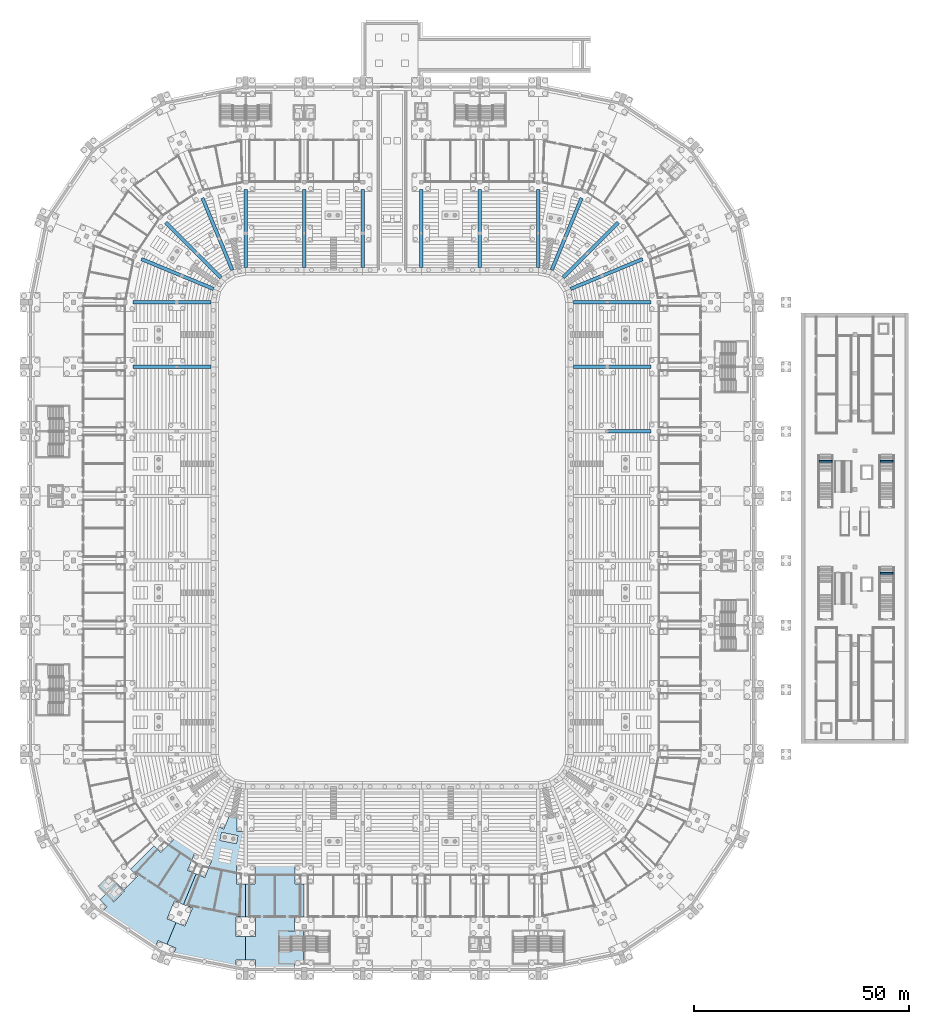
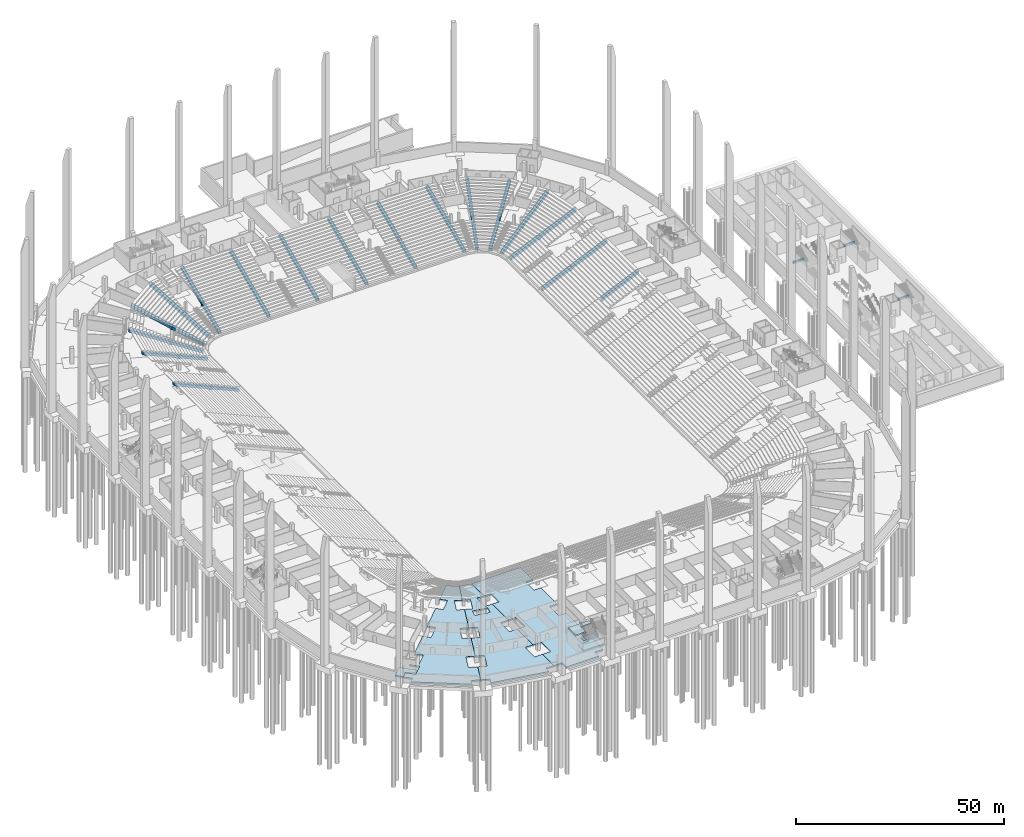
# One storey, part 15 of 115: 36 beams, 6 slabs, 1 element without a shape of its own.
"""IFC4 building model written with IfcOpenShell, lengths in metres."""

from ifc_helpers import new_model, si_unit, direction, frame, origin, origin_2d, place, context, subcontext, project, spatial, polyline, rectangle, outline, extrude, material, layer, layer_set, material_profile, profile_set, type_object, element, aggregate, save


model = new_model("IFC4")

# Units and contexts
model_context = context("Model", 3, precision=1e-05, world=origin(), true_north=direction((0.0, 1.0)))
body_context = subcontext(model_context, "Body", "Model", "MODEL_VIEW")
ifc_project = project(units=[si_unit("LENGTHUNIT", "METRE"), si_unit("AREAUNIT", "SQUARE_METRE"), si_unit("VOLUMEUNIT", "CUBIC_METRE"), si_unit("PLANEANGLEUNIT", "RADIAN"), si_unit("MASSUNIT", "GRAM", prefix="KILO")], contexts=[model_context])

# Site, building, storey
site_placement = place(None, origin())
site = spatial("IfcSite", under=ifc_project, at=site_placement, CompositionType="ELEMENT")
building_placement = place(site_placement, origin())
building = spatial("IfcBuilding", under=site, at=building_placement, Name="Ogive Plaza Stadium", CompositionType="ELEMENT")
storey_placement = place(building_placement, frame((0.0, 0.0, -4.5)))
storey = spatial("IfcBuildingStorey", under=building, at=storey_placement, Name="B1", CompositionType="ELEMENT", Elevation=-4.5)

# Beams
ifc_material_1 = material(Name="Concrete C45/55 precast", Category="concrete")
ifc_material_profile_1 = material_profile(ifc_material_1, rectangle(XDim=0.800048828125, YDim=0.800048828125, at=origin_2d()), Name="RC 800x800")
ifc_profile_set_1 = profile_set([ifc_material_profile_1], Name="Concrete C45/55 precast")
beam_type_1 = type_object("IfcBeamType", Name="Precast raker LT 800x800", PredefinedType="USERDEFINED", material=ifc_profile_set_1)
beam_1_placement = place(storey_placement, frame((34.0, 52.5, 4.5), z_axis=(0.0, 0.0, 1.0), x_axis=(1.0, 0.0, 0.0)))
element("IfcBeam", 1, at=beam_1_placement, inside=storey, type_object=beam_type_1, Name="RAKER LT R01", ObjectType="RAKER", PredefinedType="USERDEFINED", context=body_context, shape_type="SweptSolid", body=[
    extrude(outline(polyline([(8.10009765625, -4.4853515625), (15.60009765625, -1.176513671875), (16.0, -1.176513671875), (16.0, -0.199951171875), (8.10009765625, -3.685302734375), (8.10009765625, -4.4853515625)])), frame((0.0, 0.39990234375, 0.0), z_axis=(0.0, -1.0, 0.0), x_axis=(1.0, 0.0, 0.0)), (0.0, 0.0, 1.0), 0.800048828125),
])
beam_2_placement = place(storey_placement, frame((34.0, 52.5, 4.5), z_axis=(0.0, 0.0, 1.0), x_axis=(1.0, 0.0, 0.0)))
element("IfcBeam", 2, at=beam_2_placement, inside=storey, type_object=beam_type_1, Name="RAKER LT BACK R01", ObjectType="RAKER", PredefinedType="USERDEFINED", context=body_context, shape_type="SweptSolid", body=[
    extrude(outline(polyline([(16.0, -1.176513671875), (16.39990234375, -1.176513671875), (16.39990234375, -0.823486328125), (26.199951171875, 3.5), (26.199951171875, 4.300048828125), (16.0, -0.199951171875), (16.0, -1.176513671875)])), frame((0.0, 0.39990234375, 0.0), z_axis=(0.0, -1.0, 0.0), x_axis=(1.0, 0.0, 0.0)), (0.0, 0.0, 1.0), 0.800048828125),
])
beam_3_placement = place(storey_placement, frame((34.0, 37.5, 4.5), z_axis=(0.0, 0.0, 1.0), x_axis=(1.0, 0.0, 0.0)))
element("IfcBeam", 3, at=beam_3_placement, inside=storey, type_object=beam_type_1, Name="RAKER LT R02", ObjectType="RAKER", PredefinedType="USERDEFINED", context=body_context, shape_type="SweptSolid", body=[
    extrude(outline(polyline([(8.10009765625, -4.4853515625), (15.60009765625, -1.176513671875), (16.0, -1.176513671875), (16.0, -0.199951171875), (8.10009765625, -3.685302734375), (8.10009765625, -4.4853515625)])), frame((0.0, 0.39990234375, 0.0), z_axis=(0.0, -1.0, 0.0), x_axis=(1.0, 0.0, 0.0)), (0.0, 0.0, 1.0), 0.800048828125),
])
for number, where, z_axis, x_axis, name in (
    (4, (34.0, 37.5, 4.5), (0.0, 0.0, 1.0), (1.0, 0.0, 0.0), "RAKER LT BACK R02"),
    (5, (34.0, 22.5, 4.5), (0.0, 0.0, 1.0), (1.0, 0.0, 0.0), "RAKER LT BACK R03"),
):
    element("IfcBeam", number, at=place(storey_placement, frame(where, z_axis=z_axis, x_axis=x_axis)), inside=storey, type_object=beam_type_1, Name=name, ObjectType="RAKER", PredefinedType="USERDEFINED", context=body_context, shape_type="SweptSolid", body=[
        extrude(outline(polyline([(16.0, -1.176513671875), (16.39990234375, -1.176513671875), (16.39990234375, -0.823486328125), (26.199951171875, 3.5), (26.199951171875, 4.300048828125), (16.0, -0.199951171875), (16.0, -1.176513671875)])), frame((0.0, 0.39990234375, 0.0), z_axis=(0.0, -1.0, 0.0), x_axis=(1.0, 0.0, 0.0)), (0.0, 0.0, 1.0), 0.800048828125),
    ])
beam_4_placement = place(storey_placement, frame((-34.0, 37.5, 4.5), z_axis=(0.0, 0.0, 1.0), x_axis=(-1.0, 0.0, 0.0)))
element("IfcBeam", 6, at=beam_4_placement, inside=storey, type_object=beam_type_1, Name="RAKER LT R27", ObjectType="RAKER", PredefinedType="USERDEFINED", context=body_context, shape_type="SweptSolid", body=[
    extrude(outline(polyline([(8.10009765625, -4.4853515625), (15.60009765625, -1.176513671875), (16.0, -1.176513671875), (16.0, -0.199951171875), (8.10009765625, -3.685302734375), (8.10009765625, -4.4853515625)])), frame((0.0, 0.39990234375, 0.0), z_axis=(0.0, -1.0, 0.0), x_axis=(1.0, 0.0, 0.0)), (0.0, 0.0, 1.0), 0.800048828125),
])
beam_5_placement = place(storey_placement, frame((-34.0, 37.5, 4.5), z_axis=(0.0, 0.0, 1.0), x_axis=(-1.0, 0.0, 0.0)))
element("IfcBeam", 7, at=beam_5_placement, inside=storey, type_object=beam_type_1, Name="RAKER LT BACK R27", ObjectType="RAKER", PredefinedType="USERDEFINED", context=body_context, shape_type="SweptSolid", body=[
    extrude(outline(polyline([(16.0, -1.176513671875), (16.39990234375, -1.176513671875), (16.39990234375, -0.823486328125), (26.199951171875, 3.5), (26.199951171875, 4.300048828125), (16.0, -0.199951171875), (16.0, -1.176513671875)])), frame((0.0, 0.39990234375, 0.0), z_axis=(0.0, -1.0, 0.0), x_axis=(1.0, 0.0, 0.0)), (0.0, 0.0, 1.0), 0.800048828125),
])
beam_6_placement = place(storey_placement, frame((-34.0, 52.5, 4.5), z_axis=(0.0, 0.0, 1.0), x_axis=(-1.0, 0.0, 0.0)))
element("IfcBeam", 8, at=beam_6_placement, inside=storey, type_object=beam_type_1, Name="RAKER LT R28", ObjectType="RAKER", PredefinedType="USERDEFINED", context=body_context, shape_type="SweptSolid", body=[
    extrude(outline(polyline([(8.10009765625, -4.4853515625), (15.60009765625, -1.176513671875), (16.0, -1.176513671875), (16.0, -0.199951171875), (8.10009765625, -3.685302734375), (8.10009765625, -4.4853515625)])), frame((0.0, 0.39990234375, 0.0), z_axis=(0.0, -1.0, 0.0), x_axis=(1.0, 0.0, 0.0)), (0.0, 0.0, 1.0), 0.800048828125),
])
beam_7_placement = place(storey_placement, frame((-34.0, 52.5, 4.5), z_axis=(0.0, 0.0, 1.0), x_axis=(-1.0, 0.0, 0.0)))
element("IfcBeam", 9, at=beam_7_placement, inside=storey, type_object=beam_type_1, Name="RAKER LT BACK R28", ObjectType="RAKER", PredefinedType="USERDEFINED", context=body_context, shape_type="SweptSolid", body=[
    extrude(outline(polyline([(16.0, -1.176513671875), (16.39990234375, -1.176513671875), (16.39990234375, -0.823486328125), (26.199951171875, 3.5), (26.199951171875, 4.300048828125), (16.0, -0.199951171875), (16.0, -1.176513671875)])), frame((0.0, 0.39990234375, 0.0), z_axis=(0.0, -1.0, 0.0), x_axis=(1.0, 0.0, 0.0)), (0.0, 0.0, 1.0), 0.800048828125),
])
beam_8_placement = place(storey_placement, frame((-34.0, 52.5, 4.5), z_axis=(0.0, 0.0, 1.0), x_axis=(-0.923879532511, 0.382683432365, 0.0)))
element("IfcBeam", 10, at=beam_8_placement, inside=storey, type_object=beam_type_1, Name="RAKER LT R29", ObjectType="RAKER", PredefinedType="USERDEFINED", context=body_context, shape_type="SweptSolid", body=[
    extrude(outline(polyline([(8.10009765625, -4.4853515625), (15.60009765625, -1.176513671875), (16.0, -1.176513671875), (16.0, -0.199951171875), (8.10009765625, -3.685302734375), (8.10009765625, -4.4853515625)])), frame((0.0, 0.39990234375, 0.0), z_axis=(0.0, -1.0, 0.0), x_axis=(1.0, 0.0, 0.0)), (0.0, 0.0, 1.0), 0.800048828125),
])
beam_9_placement = place(storey_placement, frame((-34.0, 52.5, 4.5), z_axis=(0.0, 0.0, 1.0), x_axis=(-0.923879532511, 0.382683432365, 0.0)))
element("IfcBeam", 11, at=beam_9_placement, inside=storey, type_object=beam_type_1, Name="RAKER LT BACK R29", ObjectType="RAKER", PredefinedType="USERDEFINED", context=body_context, shape_type="SweptSolid", body=[
    extrude(outline(polyline([(16.0, -1.176513671875), (16.39990234375, -1.176513671875), (16.39990234375, -0.823486328125), (26.199951171875, 3.5), (26.199951171875, 4.300048828125), (16.0, -0.199951171875), (16.0, -1.176513671875)])), frame((0.0, 0.39990234375, 0.0), z_axis=(0.0, -1.0, 0.0), x_axis=(1.0, 0.0, 0.0)), (0.0, 0.0, 1.0), 0.800048828125),
])
beam_10_placement = place(storey_placement, frame((-34.0, 52.5, 4.5), z_axis=(0.0, 0.0, 1.0), x_axis=(-0.707106781187, 0.707106781187, 0.0)))
element("IfcBeam", 12, at=beam_10_placement, inside=storey, type_object=beam_type_1, Name="RAKER LT R30", ObjectType="RAKER", PredefinedType="USERDEFINED", context=body_context, shape_type="SweptSolid", body=[
    extrude(outline(polyline([(8.10009765625, -4.4853515625), (15.60009765625, -1.176513671875), (16.0, -1.176513671875), (16.0, -0.199951171875), (8.10009765625, -3.685302734375), (8.10009765625, -4.4853515625)])), frame((0.0, 0.39990234375, 0.0), z_axis=(0.0, -1.0, 0.0), x_axis=(1.0, 0.0, 0.0)), (0.0, 0.0, 1.0), 0.800048828125),
])
beam_11_placement = place(storey_placement, frame((-34.0, 52.5, 4.5), z_axis=(0.0, 0.0, 1.0), x_axis=(-0.707106781187, 0.707106781187, 0.0)))
element("IfcBeam", 13, at=beam_11_placement, inside=storey, type_object=beam_type_1, Name="RAKER LT BACK R30", ObjectType="RAKER", PredefinedType="USERDEFINED", context=body_context, shape_type="SweptSolid", body=[
    extrude(outline(polyline([(16.0, -1.176513671875), (16.39990234375, -1.176513671875), (16.39990234375, -0.823486328125), (26.199951171875, 3.5), (26.199951171875, 4.300048828125), (16.0, -0.199951171875), (16.0, -1.176513671875)])), frame((0.0, 0.39990234375, 0.0), z_axis=(0.0, -1.0, 0.0), x_axis=(1.0, 0.0, 0.0)), (0.0, 0.0, 1.0), 0.800048828125),
])
beam_12_placement = place(storey_placement, frame((-34.0, 52.5, 4.5), z_axis=(0.0, 0.0, 1.0), x_axis=(-0.382683432365, 0.923879532511, 0.0)))
element("IfcBeam", 14, at=beam_12_placement, inside=storey, type_object=beam_type_1, Name="RAKER LT R31", ObjectType="RAKER", PredefinedType="USERDEFINED", context=body_context, shape_type="SweptSolid", body=[
    extrude(outline(polyline([(8.10009765625, -4.4853515625), (15.60009765625, -1.176513671875), (16.0, -1.176513671875), (16.0, -0.199951171875), (8.10009765625, -3.685302734375), (8.10009765625, -4.4853515625)])), frame((0.0, 0.39990234375, 0.0), z_axis=(0.0, -1.0, 0.0), x_axis=(1.0, 0.0, 0.0)), (0.0, 0.0, 1.0), 0.800048828125),
])
beam_13_placement = place(storey_placement, frame((-34.0, 52.5, 4.5), z_axis=(0.0, 0.0, 1.0), x_axis=(-0.382683432365, 0.923879532511, 0.0)))
element("IfcBeam", 15, at=beam_13_placement, inside=storey, type_object=beam_type_1, Name="RAKER LT BACK R31", ObjectType="RAKER", PredefinedType="USERDEFINED", context=body_context, shape_type="SweptSolid", body=[
    extrude(outline(polyline([(16.0, -1.176513671875), (16.39990234375, -1.176513671875), (16.39990234375, -0.823486328125), (26.199951171875, 3.5), (26.199951171875, 4.300048828125), (16.0, -0.199951171875), (16.0, -1.176513671875)])), frame((0.0, 0.39990234375, 0.0), z_axis=(0.0, -1.0, 0.0), x_axis=(1.0, 0.0, 0.0)), (0.0, 0.0, 1.0), 0.800048828125),
])
beam_14_placement = place(storey_placement, frame((-34.0, 52.5, 4.5), z_axis=(0.0, 0.0, 1.0), x_axis=(0.0, 1.0, 0.0)))
element("IfcBeam", 16, at=beam_14_placement, inside=storey, type_object=beam_type_1, Name="RAKER LT R32", ObjectType="RAKER", PredefinedType="USERDEFINED", context=body_context, shape_type="SweptSolid", body=[
    extrude(outline(polyline([(8.10009765625, -4.4853515625), (15.60009765625, -1.176513671875), (16.0, -1.176513671875), (16.0, -0.199951171875), (8.10009765625, -3.685302734375), (8.10009765625, -4.4853515625)])), frame((0.0, 0.39990234375, 0.0), z_axis=(0.0, -1.0, 0.0), x_axis=(1.0, 0.0, 0.0)), (0.0, 0.0, 1.0), 0.800048828125),
])
beam_15_placement = place(storey_placement, frame((-34.0, 52.5, 4.5), z_axis=(0.0, 0.0, 1.0), x_axis=(0.0, 1.0, 0.0)))
element("IfcBeam", 17, at=beam_15_placement, inside=storey, type_object=beam_type_1, Name="RAKER LT BACK R32", ObjectType="RAKER", PredefinedType="USERDEFINED", context=body_context, shape_type="SweptSolid", body=[
    extrude(outline(polyline([(16.0, -1.176513671875), (16.39990234375, -1.176513671875), (16.39990234375, -0.823486328125), (26.199951171875, 3.5), (26.199951171875, 4.300048828125), (16.0, -0.199951171875), (16.0, -1.176513671875)])), frame((0.0, 0.39990234375, 0.0), z_axis=(0.0, -1.0, 0.0), x_axis=(1.0, 0.0, 0.0)), (0.0, 0.0, 1.0), 0.800048828125),
])
beam_16_placement = place(storey_placement, frame((-20.39990234375, 52.5, 4.5), z_axis=(0.0, 0.0, 1.0), x_axis=(0.0, 1.0, 0.0)))
element("IfcBeam", 18, at=beam_16_placement, inside=storey, type_object=beam_type_1, Name="RAKER LT R33", ObjectType="RAKER", PredefinedType="USERDEFINED", context=body_context, shape_type="SweptSolid", body=[
    extrude(outline(polyline([(8.10009765625, -4.4853515625), (15.60009765625, -1.176513671875), (16.0, -1.176513671875), (16.0, -0.199951171875), (8.10009765625, -3.685302734375), (8.10009765625, -4.4853515625)])), frame((0.0, 0.39990234375, 0.0), z_axis=(0.0, -1.0, 0.0), x_axis=(1.0, 0.0, 0.0)), (0.0, 0.0, 1.0), 0.800048828125),
])
beam_17_placement = place(storey_placement, frame((-20.39990234375, 52.5, 4.5), z_axis=(0.0, 0.0, 1.0), x_axis=(0.0, 1.0, 0.0)))
element("IfcBeam", 19, at=beam_17_placement, inside=storey, type_object=beam_type_1, Name="RAKER LT BACK R33", ObjectType="RAKER", PredefinedType="USERDEFINED", context=body_context, shape_type="SweptSolid", body=[
    extrude(outline(polyline([(16.0, -1.176513671875), (16.39990234375, -1.176513671875), (16.39990234375, -0.823486328125), (26.199951171875, 3.5), (26.199951171875, 4.300048828125), (16.0, -0.199951171875), (16.0, -1.176513671875)])), frame((0.0, 0.39990234375, 0.0), z_axis=(0.0, -1.0, 0.0), x_axis=(1.0, 0.0, 0.0)), (0.0, 0.0, 1.0), 0.800048828125),
])
beam_18_placement = place(storey_placement, frame((-6.800048828125, 52.5, 4.5), z_axis=(0.0, 0.0, 1.0), x_axis=(0.0, 1.0, 0.0)))
element("IfcBeam", 20, at=beam_18_placement, inside=storey, type_object=beam_type_1, Name="RAKER LT R34", ObjectType="RAKER", PredefinedType="USERDEFINED", context=body_context, shape_type="SweptSolid", body=[
    extrude(outline(polyline([(8.10009765625, -4.4853515625), (15.60009765625, -1.176513671875), (16.0, -1.176513671875), (16.0, -0.199951171875), (8.10009765625, -3.685302734375), (8.10009765625, -4.4853515625)])), frame((0.0, 0.39990234375, 0.0), z_axis=(0.0, -1.0, 0.0), x_axis=(1.0, 0.0, 0.0)), (0.0, 0.0, 1.0), 0.800048828125),
])
beam_19_placement = place(storey_placement, frame((-6.800048828125, 52.5, 4.5), z_axis=(0.0, 0.0, 1.0), x_axis=(0.0, 1.0, 0.0)))
element("IfcBeam", 21, at=beam_19_placement, inside=storey, type_object=beam_type_1, Name="RAKER LT BACK R34", ObjectType="RAKER", PredefinedType="USERDEFINED", context=body_context, shape_type="SweptSolid", body=[
    extrude(outline(polyline([(16.0, -1.176513671875), (16.39990234375, -1.176513671875), (16.39990234375, -0.823486328125), (26.199951171875, 3.5), (26.199951171875, 4.300048828125), (16.0, -0.199951171875), (16.0, -1.176513671875)])), frame((0.0, 0.39990234375, 0.0), z_axis=(0.0, -1.0, 0.0), x_axis=(1.0, 0.0, 0.0)), (0.0, 0.0, 1.0), 0.800048828125),
])
beam_20_placement = place(storey_placement, frame((6.800048828125, 52.5, 4.5), z_axis=(0.0, 0.0, 1.0), x_axis=(0.0, 1.0, 0.0)))
element("IfcBeam", 22, at=beam_20_placement, inside=storey, type_object=beam_type_1, Name="RAKER LT R35", ObjectType="RAKER", PredefinedType="USERDEFINED", context=body_context, shape_type="SweptSolid", body=[
    extrude(outline(polyline([(8.10009765625, -4.4853515625), (15.60009765625, -1.176513671875), (16.0, -1.176513671875), (16.0, -0.199951171875), (8.10009765625, -3.685302734375), (8.10009765625, -4.4853515625)])), frame((0.0, 0.39990234375, 0.0), z_axis=(0.0, -1.0, 0.0), x_axis=(1.0, 0.0, 0.0)), (0.0, 0.0, 1.0), 0.800048828125),
])
beam_21_placement = place(storey_placement, frame((6.800048828125, 52.5, 4.5), z_axis=(0.0, 0.0, 1.0), x_axis=(0.0, 1.0, 0.0)))
element("IfcBeam", 23, at=beam_21_placement, inside=storey, type_object=beam_type_1, Name="RAKER LT BACK R35", ObjectType="RAKER", PredefinedType="USERDEFINED", context=body_context, shape_type="SweptSolid", body=[
    extrude(outline(polyline([(16.0, -1.176513671875), (16.39990234375, -1.176513671875), (16.39990234375, -0.823486328125), (26.199951171875, 3.5), (26.199951171875, 4.300048828125), (16.0, -0.199951171875), (16.0, -1.176513671875)])), frame((0.0, 0.39990234375, 0.0), z_axis=(0.0, -1.0, 0.0), x_axis=(1.0, 0.0, 0.0)), (0.0, 0.0, 1.0), 0.800048828125),
])
beam_22_placement = place(storey_placement, frame((20.39990234375, 52.5, 4.5), z_axis=(0.0, 0.0, 1.0), x_axis=(0.0, 1.0, 0.0)))
element("IfcBeam", 24, at=beam_22_placement, inside=storey, type_object=beam_type_1, Name="RAKER LT R36", ObjectType="RAKER", PredefinedType="USERDEFINED", context=body_context, shape_type="SweptSolid", body=[
    extrude(outline(polyline([(8.10009765625, -4.4853515625), (15.60009765625, -1.176513671875), (16.0, -1.176513671875), (16.0, -0.199951171875), (8.10009765625, -3.685302734375), (8.10009765625, -4.4853515625)])), frame((0.0, 0.39990234375, 0.0), z_axis=(0.0, -1.0, 0.0), x_axis=(1.0, 0.0, 0.0)), (0.0, 0.0, 1.0), 0.800048828125),
])
beam_23_placement = place(storey_placement, frame((20.39990234375, 52.5, 4.5), z_axis=(0.0, 0.0, 1.0), x_axis=(0.0, 1.0, 0.0)))
element("IfcBeam", 25, at=beam_23_placement, inside=storey, type_object=beam_type_1, Name="RAKER LT BACK R36", ObjectType="RAKER", PredefinedType="USERDEFINED", context=body_context, shape_type="SweptSolid", body=[
    extrude(outline(polyline([(16.0, -1.176513671875), (16.39990234375, -1.176513671875), (16.39990234375, -0.823486328125), (26.199951171875, 3.5), (26.199951171875, 4.300048828125), (16.0, -0.199951171875), (16.0, -1.176513671875)])), frame((0.0, 0.39990234375, 0.0), z_axis=(0.0, -1.0, 0.0), x_axis=(1.0, 0.0, 0.0)), (0.0, 0.0, 1.0), 0.800048828125),
])
beam_24_placement = place(storey_placement, frame((34.0, 52.5, 4.5), z_axis=(0.0, 0.0, 1.0), x_axis=(0.0, 1.0, 0.0)))
element("IfcBeam", 26, at=beam_24_placement, inside=storey, type_object=beam_type_1, Name="RAKER LT R37", ObjectType="RAKER", PredefinedType="USERDEFINED", context=body_context, shape_type="SweptSolid", body=[
    extrude(outline(polyline([(8.10009765625, -4.4853515625), (15.60009765625, -1.176513671875), (16.0, -1.176513671875), (16.0, -0.199951171875), (8.10009765625, -3.685302734375), (8.10009765625, -4.4853515625)])), frame((0.0, 0.39990234375, 0.0), z_axis=(0.0, -1.0, 0.0), x_axis=(1.0, 0.0, 0.0)), (0.0, 0.0, 1.0), 0.800048828125),
])
beam_25_placement = place(storey_placement, frame((34.0, 52.5, 4.5), z_axis=(0.0, 0.0, 1.0), x_axis=(0.0, 1.0, 0.0)))
element("IfcBeam", 27, at=beam_25_placement, inside=storey, type_object=beam_type_1, Name="RAKER LT BACK R37", ObjectType="RAKER", PredefinedType="USERDEFINED", context=body_context, shape_type="SweptSolid", body=[
    extrude(outline(polyline([(16.0, -1.176513671875), (16.39990234375, -1.176513671875), (16.39990234375, -0.823486328125), (26.199951171875, 3.5), (26.199951171875, 4.300048828125), (16.0, -0.199951171875), (16.0, -1.176513671875)])), frame((0.0, 0.39990234375, 0.0), z_axis=(0.0, -1.0, 0.0), x_axis=(1.0, 0.0, 0.0)), (0.0, 0.0, 1.0), 0.800048828125),
])
beam_26_placement = place(storey_placement, frame((34.0, 52.5, 4.5), z_axis=(0.0, 0.0, 1.0), x_axis=(0.382683432365, 0.923879532511, 0.0)))
element("IfcBeam", 28, at=beam_26_placement, inside=storey, type_object=beam_type_1, Name="RAKER LT R38", ObjectType="RAKER", PredefinedType="USERDEFINED", context=body_context, shape_type="SweptSolid", body=[
    extrude(outline(polyline([(8.10009765625, -4.4853515625), (15.60009765625, -1.176513671875), (16.0, -1.176513671875), (16.0, -0.199951171875), (8.10009765625, -3.685302734375), (8.10009765625, -4.4853515625)])), frame((0.0, 0.39990234375, 0.0), z_axis=(0.0, -1.0, 0.0), x_axis=(1.0, 0.0, 0.0)), (0.0, 0.0, 1.0), 0.800048828125),
])
beam_27_placement = place(storey_placement, frame((34.0, 52.5, 4.5), z_axis=(0.0, 0.0, 1.0), x_axis=(0.382683432365, 0.923879532511, 0.0)))
element("IfcBeam", 29, at=beam_27_placement, inside=storey, type_object=beam_type_1, Name="RAKER LT BACK R38", ObjectType="RAKER", PredefinedType="USERDEFINED", context=body_context, shape_type="SweptSolid", body=[
    extrude(outline(polyline([(16.0, -1.176513671875), (16.39990234375, -1.176513671875), (16.39990234375, -0.823486328125), (26.199951171875, 3.5), (26.199951171875, 4.300048828125), (16.0, -0.199951171875), (16.0, -1.176513671875)])), frame((0.0, 0.39990234375, 0.0), z_axis=(0.0, -1.0, 0.0), x_axis=(1.0, 0.0, 0.0)), (0.0, 0.0, 1.0), 0.800048828125),
])
beam_28_placement = place(storey_placement, frame((34.0, 52.5, 4.5), z_axis=(0.0, 0.0, 1.0), x_axis=(0.707106781187, 0.707106781187, 0.0)))
element("IfcBeam", 30, at=beam_28_placement, inside=storey, type_object=beam_type_1, Name="RAKER LT R39", ObjectType="RAKER", PredefinedType="USERDEFINED", context=body_context, shape_type="SweptSolid", body=[
    extrude(outline(polyline([(8.10009765625, -4.4853515625), (15.60009765625, -1.176513671875), (16.0, -1.176513671875), (16.0, -0.199951171875), (8.10009765625, -3.685302734375), (8.10009765625, -4.4853515625)])), frame((0.0, 0.39990234375, 0.0), z_axis=(0.0, -1.0, 0.0), x_axis=(1.0, 0.0, 0.0)), (0.0, 0.0, 1.0), 0.800048828125),
])
beam_29_placement = place(storey_placement, frame((34.0, 52.5, 4.5), z_axis=(0.0, 0.0, 1.0), x_axis=(0.707106781187, 0.707106781187, 0.0)))
element("IfcBeam", 31, at=beam_29_placement, inside=storey, type_object=beam_type_1, Name="RAKER LT BACK R39", ObjectType="RAKER", PredefinedType="USERDEFINED", context=body_context, shape_type="SweptSolid", body=[
    extrude(outline(polyline([(16.0, -1.176513671875), (16.39990234375, -1.176513671875), (16.39990234375, -0.823486328125), (26.199951171875, 3.5), (26.199951171875, 4.300048828125), (16.0, -0.199951171875), (16.0, -1.176513671875)])), frame((0.0, 0.39990234375, 0.0), z_axis=(0.0, -1.0, 0.0), x_axis=(1.0, 0.0, 0.0)), (0.0, 0.0, 1.0), 0.800048828125),
])
beam_30_placement = place(storey_placement, frame((34.0, 52.5, 4.5), z_axis=(0.0, 0.0, 1.0), x_axis=(0.923879532511, 0.382683432365, 0.0)))
element("IfcBeam", 32, at=beam_30_placement, inside=storey, type_object=beam_type_1, Name="RAKER LT R40", ObjectType="RAKER", PredefinedType="USERDEFINED", context=body_context, shape_type="SweptSolid", body=[
    extrude(outline(polyline([(8.10009765625, -4.4853515625), (15.60009765625, -1.176513671875), (16.0, -1.176513671875), (16.0, -0.199951171875), (8.10009765625, -3.685302734375), (8.10009765625, -4.4853515625)])), frame((0.0, 0.39990234375, 0.0), z_axis=(0.0, -1.0, 0.0), x_axis=(1.0, 0.0, 0.0)), (0.0, 0.0, 1.0), 0.800048828125),
])
beam_31_placement = place(storey_placement, frame((34.0, 52.5, 4.5), z_axis=(0.0, 0.0, 1.0), x_axis=(0.923879532511, 0.382683432365, 0.0)))
element("IfcBeam", 33, at=beam_31_placement, inside=storey, type_object=beam_type_1, Name="RAKER LT BACK R40", ObjectType="RAKER", PredefinedType="USERDEFINED", context=body_context, shape_type="SweptSolid", body=[
    extrude(outline(polyline([(16.0, -1.176513671875), (16.39990234375, -1.176513671875), (16.39990234375, -0.823486328125), (26.199951171875, 3.5), (26.199951171875, 4.300048828125), (16.0, -0.199951171875), (16.0, -1.176513671875)])), frame((0.0, 0.39990234375, 0.0), z_axis=(0.0, -1.0, 0.0), x_axis=(1.0, 0.0, 0.0)), (0.0, 0.0, 1.0), 0.800048828125),
])
ifc_material_2 = material(Name="Concrete C40/50", Category="concrete")
ifc_material_profile_2 = material_profile(ifc_material_2, rectangle(XDim=0.39990234375, YDim=0.60009765625, at=origin_2d()), Name="Stair landing beam RC 400x600")
ifc_profile_set_2 = profile_set([ifc_material_profile_2], Name="Concrete C40/50")
beam_type_2 = type_object("IfcBeamType", Name="Stair landing beam RC 400x600", PredefinedType="BEAM", material=ifc_profile_set_2)
for number, where, z_axis, x_axis, name in (
    (34, (113.39990234375, -10.43994140625, 1.550048828125), (1.0, 0.0, 0.0), (0.0, 1.0, 0.0), "Landing beam LB-QS2"),
    (35, (99.199951171875, 15.56005859375, 1.550048828125), (1.0, 0.0, 0.0), (0.0, 1.0, 0.0), "Landing beam LB-QS3"),
    (36, (113.39990234375, 15.56005859375, 1.550048828125), (1.0, 0.0, 0.0), (0.0, 1.0, 0.0), "Landing beam LB-QS4"),
):
    element("IfcBeam", number, at=place(storey_placement, frame(where, z_axis=z_axis, x_axis=x_axis)), inside=storey, type_object=beam_type_2, Name=name, PredefinedType="BEAM", context=body_context, shape_type="SweptSolid", body=[
        extrude(rectangle(XDim=0.39990234375, YDim=0.60009765625, at=origin_2d()), origin(), (0.0, 0.0, 1.0), 3.0),
    ])

# Slabs
ifc_material_3 = material(Name="Concrete C40/50", Category="concrete")
ifc_layer_1 = layer(ifc_material_3, 0.39990234375)
ifc_layer_set_1 = layer_set([ifc_layer_1], Name="Concrete C40/50")
slab_type_1 = type_object("IfcSlabType", Name="Lift pit slab", PredefinedType="BASESLAB", material=ifc_layer_set_1)
slab_1_placement = place(storey_placement, frame((0.0, 0.0, -1.610107421875)))
element("IfcSlab", 37, at=slab_1_placement, inside=storey, type_object=slab_type_1, Name="Lift pit slab LP19", PredefinedType="BASESLAB", context=body_context, shape_type="SweptSolid", body=[
    extrude(outline(polyline([(-65.80224609375, -80.66064453125), (-68.277099609375, -83.135498046875), (-64.635498046875, -86.777099609375), (-62.16064453125, -84.30224609375), (-65.80224609375, -80.66064453125)])), origin(), (0.0, 0.0, 1.0), 0.41015625),
])
ifc_material_4 = material(Name="Concrete C40/50", Category="concrete")
ifc_layer_2 = layer(ifc_material_4, 0.449951171875)
ifc_layer_set_2 = layer_set([ifc_layer_2], Name="Concrete C40/50")
slab_type_2 = type_object("IfcSlabType", Name="RC ground slab 450", PredefinedType="BASESLAB", material=ifc_layer_set_2)
slab_2_placement = place(storey_placement, frame((0.0, 0.0, -0.39990234375)))
element("IfcSlab", 38, at=slab_2_placement, inside=storey, type_object=slab_type_2, Name="Ground slab B1 B16", PredefinedType="BASESLAB", context=body_context, shape_type="SweptSolid", body=[
    extrude(outline(polyline([(-34.0, -66.550048828125), (-32.050048828125, -66.550048828125), (-32.050048828125, -70.449951171875), (-34.0, -70.449951171875), (-34.0, -78.25), (-31.85009765625, -78.25), (-31.85009765625, -82.550048828125), (-34.0, -82.550048828125), (-34.0, -90.25), (-31.75, -90.25), (-31.75, -94.75), (-34.0, -94.75), (-34.0, -100.25), (-31.75, -100.25), (-31.75, -102.25), (-22.64990234375, -102.25), (-22.64990234375, -100.25), (-20.39990234375, -100.25), (-20.39990234375, -94.75), (-22.64990234375, -94.75), (-22.64990234375, -90.25), (-20.39990234375, -90.25), (-20.39990234375, -82.550048828125), (-22.550048828125, -82.550048828125), (-22.550048828125, -78.25), (-20.39990234375, -78.25), (-20.39990234375, -70.449951171875), (-22.35009765625, -70.449951171875), (-22.35009765625, -66.550048828125), (-20.39990234375, -66.550048828125), (-20.39990234375, -60.60009765625), (-34.0, -60.60009765625), (-34.0, -66.550048828125)])), origin(), (0.0, 0.0, 1.0), 0.449951171875),
])
slab_3_placement = place(storey_placement, frame((0.0, 0.0, -0.39990234375)))
element("IfcSlab", 39, at=slab_3_placement, inside=storey, type_object=slab_type_2, Name="Ground slab B1 B17", PredefinedType="BASESLAB", context=body_context, shape_type="SweptSolid", body=[
    extrude(outline(polyline([(-39.376708984375, -65.48046875), (-37.5751953125, -66.226806640625), (-39.067626953125, -69.829833984375), (-40.869140625, -69.083740234375), (-43.85400390625, -76.289794921875), (-41.86767578125, -77.112548828125), (-43.51318359375, -81.08544921875), (-45.499755859375, -80.2626953125), (-48.4462890625, -87.37646484375), (-46.36767578125, -88.237548828125), (-48.089599609375, -92.39501953125), (-50.16845703125, -91.533935546875), (-52.273193359375, -96.615234375), (-50.1943359375, -97.476318359375), (-50.78857421875, -98.91064453125), (-36.25, -101.802490234375), (-36.25, -100.25), (-34.0, -100.25), (-34.0, -94.75), (-36.25, -94.75), (-36.25, -90.25), (-34.0, -90.25), (-34.0, -82.550048828125), (-36.14990234375, -82.550048828125), (-36.14990234375, -78.25), (-34.0, -78.25), (-34.0, -70.449951171875), (-35.949951171875, -70.449951171875), (-35.949951171875, -66.550048828125), (-34.0, -66.550048828125), (-34.0, -60.60009765625), (-37.099853515625, -59.9833984375), (-39.376708984375, -65.48046875)]), holes=[polyline([(-36.137939453125, -73.243408203125), (-35.767333984375, -71.3798828125), (-39.59228515625, -70.618896484375), (-39.962890625, -72.482421875), (-36.137939453125, -73.243408203125)])]), origin(), (0.0, 0.0, 1.0), 0.449951171875),
])
slab_4_placement = place(storey_placement, frame((0.0, 0.0, -0.39990234375)))
element("IfcSlab", 40, at=slab_4_placement, inside=storey, type_object=slab_type_2, Name="Ground slab B1 B18", PredefinedType="BASESLAB", context=body_context, shape_type="SweptSolid", body=[
    extrude(outline(polyline([(-43.934814453125, -62.434814453125), (-42.555908203125, -63.813720703125), (-45.313720703125, -66.571533203125), (-46.692626953125, -65.192626953125), (-52.2080078125, -70.7080078125), (-50.687744140625, -72.228271484375), (-53.728271484375, -75.268798828125), (-55.24853515625, -73.74853515625), (-60.693359375, -79.193359375), (-59.102294921875, -80.7841796875), (-62.2841796875, -83.96630859375), (-63.875244140625, -82.375244140625), (-63.9814453125, -82.4814453125), (-62.16064453125, -84.30224609375), (-64.635498046875, -86.777099609375), (-66.456298828125, -84.956298828125), (-67.764404296875, -86.264404296875), (-66.17333984375, -87.855224609375), (-67.27099609375, -88.953125), (-54.946044921875, -97.1884765625), (-54.351806640625, -95.754150390625), (-52.273193359375, -96.615234375), (-50.16845703125, -91.533935546875), (-52.2470703125, -90.6728515625), (-50.525146484375, -86.515380859375), (-48.4462890625, -87.37646484375), (-45.499755859375, -80.2626953125), (-47.486083984375, -79.439697265625), (-45.84033203125, -75.467041015625), (-43.85400390625, -76.289794921875), (-40.869140625, -69.083740234375), (-42.670654296875, -68.33740234375), (-41.17822265625, -64.734375), (-39.376708984375, -65.48046875), (-37.099853515625, -59.9833984375), (-39.7275390625, -58.2275390625), (-43.934814453125, -62.434814453125)])), origin(), (0.0, 0.0, 1.0), 0.449951171875),
])

# Stair, slabs
ifc_material_5 = material(Name="Concrete C40/50", Category="concrete")
stair_type = type_object("IfcStairType", Name="Exit stair", PredefinedType="STRAIGHT_RUN_STAIR", material=ifc_material_5)
stair_placement = place(storey_placement, origin())
stair = element("IfcStair", 41, at=stair_placement, inside=storey, type_object=stair_type, Name="Exit stair ST16A B1 to L00", PredefinedType="STRAIGHT_RUN_STAIR")
ifc_material_6 = material(Name="Concrete C40/50", Category="concrete")
ifc_layer_3 = layer(ifc_material_6, 0.39990234375)
ifc_layer_set_3 = layer_set([ifc_layer_3], Name="Concrete C40/50")
slab_type_3 = type_object("IfcSlabType", Name="Stair landing", PredefinedType="LANDING", material=ifc_layer_set_3)
slab_5_placement = place(storey_placement, frame((0.0, 0.0, 1.85009765625)))
slab_5 = element("IfcSlab", 42, at=slab_5_placement, type_object=slab_type_3, Name="ST16A landing 1", PredefinedType="LANDING", context=body_context, shape_type="SweptSolid", body=[
    extrude(outline(polyline([(-20.52490234375, -101.010009765625), (-26.22509765625, -101.010009765625), (-26.22509765625, -98.2099609375), (-23.324951171875, -98.2099609375), (-23.324951171875, -95.81005859375), (-20.52490234375, -95.81005859375), (-20.52490234375, -98.2099609375), (-20.52490234375, -101.010009765625)])), origin(), (0.0, 0.0, 1.0), 0.39990234375),
])
slab_6_placement = place(storey_placement, frame((0.0, 0.0, 4.10009765625)))
slab_6 = element("IfcSlab", 43, at=slab_6_placement, type_object=slab_type_3, Name="ST16A landing 2", PredefinedType="LANDING", context=body_context, shape_type="SweptSolid", body=[
    extrude(outline(polyline([(-23.425048828125, -97.25), (-26.22509765625, -97.25), (-26.22509765625, -94.85009765625), (-26.22509765625, -93.550048828125), (-20.52490234375, -93.550048828125), (-20.52490234375, -94.85009765625), (-23.425048828125, -94.85009765625), (-23.425048828125, -97.25)])), origin(), (0.0, 0.0, 1.0), 0.39990234375),
])
aggregate(stair, [slab_5, slab_6])

save(model, "model.ifc")
